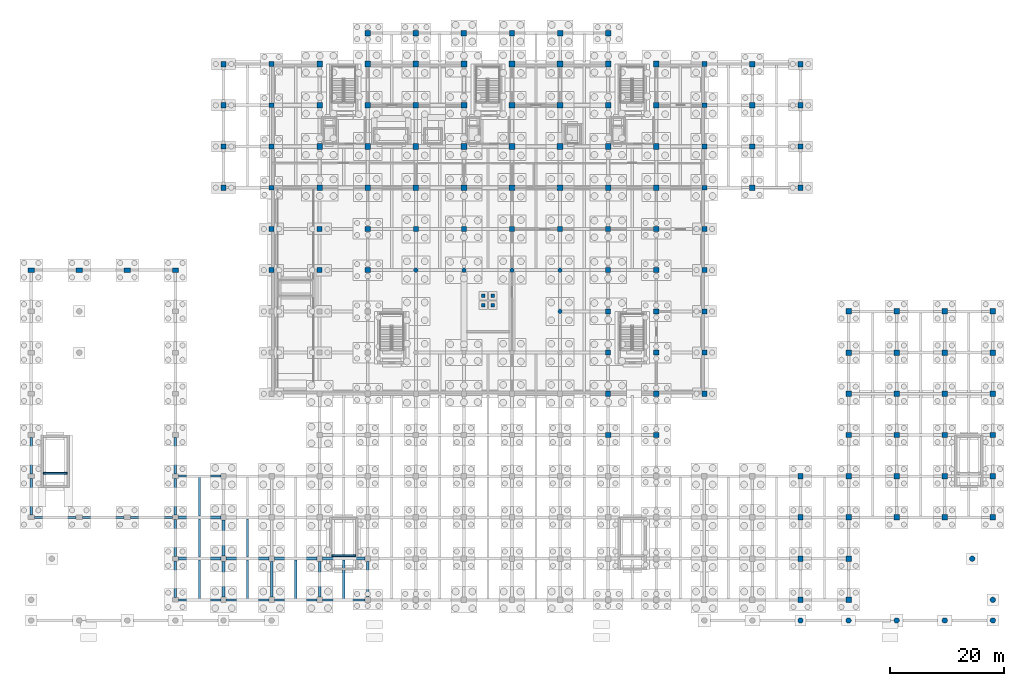
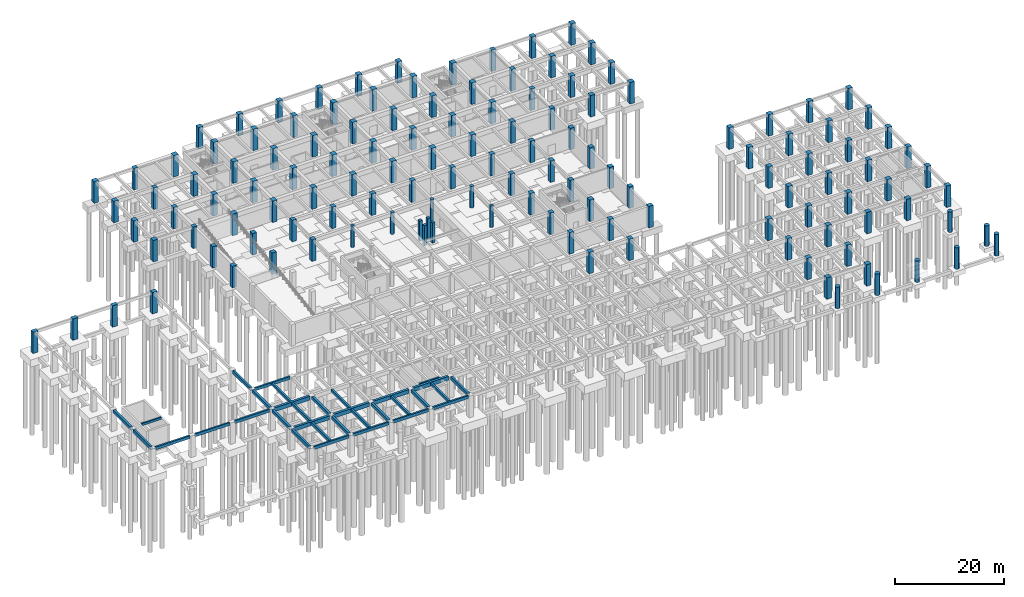
# One storey, part 12 of 26: 135 columns, 33 beams.
"""IFC4 building model written with IfcOpenShell, lengths in metres."""

from ifc_helpers import new_model, si_unit, direction, frame, origin, origin_2d, place, context, subcontext, project, spatial, rectangle, circle, extrude, material, material_profile, profile_set, type_object, element, save


model = new_model("IFC4")

# Units and contexts
model_context = context("Model", 3, precision=1e-05, world=origin(), true_north=direction((0.0, 1.0)))
body_context = subcontext(model_context, "Body", "Model", "MODEL_VIEW")
ifc_project = project(units=[si_unit("LENGTHUNIT", "METRE"), si_unit("AREAUNIT", "SQUARE_METRE"), si_unit("VOLUMEUNIT", "CUBIC_METRE"), si_unit("PLANEANGLEUNIT", "RADIAN"), si_unit("MASSUNIT", "GRAM", prefix="KILO")], contexts=[model_context])

# Site, building, storey
site_placement = place(None, origin())
site = spatial("IfcSite", under=ifc_project, at=site_placement, CompositionType="ELEMENT")
building_placement = place(site_placement, origin())
building = spatial("IfcBuilding", under=site, at=building_placement, Name="Kenerak Square Central Library", CompositionType="ELEMENT")
storey_placement = place(building_placement, frame((0.0, 0.0, -4.800048828125)))
storey = spatial("IfcBuildingStorey", under=building, at=storey_placement, Name="B1", CompositionType="ELEMENT", Elevation=-4.800048828125)

# Columns
ifc_material_1 = material(Name="Concrete C40/50", Category="concrete")
ifc_material_profile_1 = material_profile(ifc_material_1, circle(Radius=0.375, at=origin_2d()), Name="RC D750")
ifc_profile_set_1 = profile_set([ifc_material_profile_1], Name="Concrete C40/50")
column_type_1 = type_object("IfcColumnType", Name="Atrium Column C-13 RC D750 C40/50", PredefinedType="COLUMN", material=ifc_profile_set_1)
for number, where, z_axis, x_axis, name in (
    (1, (75.199951171875, 74.39990234375, 0.0), (0.0, 0.0, 1.0), (1.0, 0.0, 0.0), "Column C-13 B1 9/L"),
    (2, (83.60009765625, 74.39990234375, 0.0), (0.0, 0.0, 1.0), (1.0, 0.0, 0.0), "Column C-13 B1 10/L"),
    (3, (92.0, 74.39990234375, 0.0), (0.0, 0.0, 1.0), (1.0, 0.0, 0.0), "Column C-13 B1 11/L"),
    (4, (100.39990234375, 67.199951171875, 0.0), (0.0, 0.0, 1.0), (1.0, 0.0, 0.0), "Column C-13 B1 12/K"),
    (5, (100.39990234375, 74.39990234375, 0.0), (0.0, 0.0, 1.0), (1.0, 0.0, 0.0), "Column C-13 B1 12/L"),
):
    element("IfcColumn", number, at=place(storey_placement, frame(where, z_axis=z_axis, x_axis=x_axis)), inside=storey, type_object=column_type_1, Name=name, PredefinedType="COLUMN", context=body_context, shape_type="SweptSolid", body=[
        extrude(circle(Radius=0.375, at=origin_2d()), origin(), (0.0, 0.0, 1.0), 4.800048828125),
    ])
ifc_material_2 = material(Name="Concrete C45/55", Category="concrete")
ifc_material_profile_2 = material_profile(ifc_material_2, circle(Radius=0.47509765625, at=origin_2d()), Name="RC D950")
ifc_profile_set_2 = profile_set([ifc_material_profile_2], Name="Concrete C45/55")
column_type_2 = type_object("IfcColumnType", Name="Colonnade Foundation Pier C-17 RC D950 C45/55", PredefinedType="COLUMN", material=ifc_profile_set_2)
for number, where, z_axis, x_axis, name in (
    (6, (142.39990234375, 13.199951171875, 0.0), (0.0, 0.0, 1.0), (1.0, 0.0, 0.0), "Colonnade Foundation Pier C-17 09"),
    (7, (150.800048828125, 13.199951171875, 0.0), (0.0, 0.0, 1.0), (1.0, 0.0, 0.0), "Colonnade Foundation Pier C-17 10"),
    (8, (159.199951171875, 13.199951171875, 0.0), (0.0, 0.0, 1.0), (1.0, 0.0, 0.0), "Colonnade Foundation Pier C-17 11"),
    (9, (167.60009765625, 13.199951171875, 0.0), (0.0, 0.0, 1.0), (1.0, 0.0, 0.0), "Colonnade Foundation Pier C-17 12"),
    (10, (176.0, 13.199951171875, 0.0), (0.0, 0.0, 1.0), (1.0, 0.0, 0.0), "Colonnade Foundation Pier C-17 13"),
):
    element("IfcColumn", number, at=place(storey_placement, frame(where, z_axis=z_axis, x_axis=x_axis)), inside=storey, type_object=column_type_2, Name=name, PredefinedType="COLUMN", context=body_context, shape_type="SweptSolid", body=[
        extrude(circle(Radius=0.47509765625, at=origin_2d()), origin(), (0.0, 0.0, 1.0), 4.800048828125),
    ])
for number, where, z_axis, x_axis, name in (
    (11, (176.0, 16.800048828125, 0.0), (0.0, 0.0, 1.0), (1.0, 0.0, 0.0), "Colonnade Sub-Grade Pier C-17 CSUB03"),
    (12, (172.39990234375, 24.0, 0.0), (0.0, 0.0, 1.0), (1.0, 0.0, 0.0), "Colonnade Sub-Grade Pier C-17 CSUB04"),
):
    element("IfcColumn", number, at=place(storey_placement, frame(where, z_axis=z_axis, x_axis=x_axis)), inside=storey, type_object=column_type_2, Name=name, PredefinedType="COLUMN", context=body_context, shape_type="SweptSolid", body=[
        extrude(circle(Radius=0.47509765625, at=origin_2d()), origin(), (0.0, 0.0, 1.0), 4.550048828125),
    ])
ifc_material_profile_3 = material_profile(ifc_material_2, rectangle(XDim=1.0, YDim=1.0, at=origin_2d()), Name="RC 1000x1000")
ifc_profile_set_3 = profile_set([ifc_material_profile_3], Name="Concrete C45/55")
column_type_3 = type_object("IfcColumnType", Name="Column C-01 RC 1000x1000 C45/55", PredefinedType="COLUMN", material=ifc_profile_set_3)
for number, where, z_axis, x_axis, name in (
    (13, (58.39990234375, 88.800048828125, 0.0), (0.0, 0.0, 1.0), (1.0, 0.0, 0.0), "Column C-01 B1 7/N"),
    (14, (58.39990234375, 96.0, 0.0), (0.0, 0.0, 1.0), (1.0, 0.0, 0.0), "Column C-01 B1 7/P"),
    (15, (58.39990234375, 103.199951171875, 0.0), (0.0, 0.0, 1.0), (1.0, 0.0, 0.0), "Column C-01 B1 7/Q"),
    (16, (58.39990234375, 110.39990234375, 0.0), (0.0, 0.0, 1.0), (1.0, 0.0, 0.0), "Column C-01 B1 7/R"),
    (17, (66.800048828125, 88.800048828125, 0.0), (0.0, 0.0, 1.0), (1.0, 0.0, 0.0), "Column C-01 B1 8/N"),
    (18, (66.800048828125, 96.0, 0.0), (0.0, 0.0, 1.0), (1.0, 0.0, 0.0), "Column C-01 B1 8/P"),
    (19, (66.800048828125, 103.199951171875, 0.0), (0.0, 0.0, 1.0), (1.0, 0.0, 0.0), "Column C-01 B1 8/Q"),
    (20, (66.800048828125, 110.39990234375, 0.0), (0.0, 0.0, 1.0), (1.0, 0.0, 0.0), "Column C-01 B1 8/R"),
    (21, (75.199951171875, 88.800048828125, 0.0), (0.0, 0.0, 1.0), (1.0, 0.0, 0.0), "Column C-01 B1 9/N"),
    (22, (75.199951171875, 96.0, 0.0), (0.0, 0.0, 1.0), (1.0, 0.0, 0.0), "Column C-01 B1 9/P"),
    (23, (75.199951171875, 103.199951171875, 0.0), (0.0, 0.0, 1.0), (1.0, 0.0, 0.0), "Column C-01 B1 9/Q"),
    (24, (75.199951171875, 110.39990234375, 0.0), (0.0, 0.0, 1.0), (1.0, 0.0, 0.0), "Column C-01 B1 9/R"),
    (25, (83.60009765625, 88.800048828125, 0.0), (0.0, 0.0, 1.0), (1.0, 0.0, 0.0), "Column C-01 B1 10/N"),
    (26, (83.60009765625, 96.0, 0.0), (0.0, 0.0, 1.0), (1.0, 0.0, 0.0), "Column C-01 B1 10/P"),
    (27, (83.60009765625, 103.199951171875, 0.0), (0.0, 0.0, 1.0), (1.0, 0.0, 0.0), "Column C-01 B1 10/Q"),
    (28, (83.60009765625, 110.39990234375, 0.0), (0.0, 0.0, 1.0), (1.0, 0.0, 0.0), "Column C-01 B1 10/R"),
    (29, (92.0, 88.800048828125, 0.0), (0.0, 0.0, 1.0), (1.0, 0.0, 0.0), "Column C-01 B1 11/N"),
    (30, (92.0, 96.0, 0.0), (0.0, 0.0, 1.0), (1.0, 0.0, 0.0), "Column C-01 B1 11/P"),
    (31, (92.0, 103.199951171875, 0.0), (0.0, 0.0, 1.0), (1.0, 0.0, 0.0), "Column C-01 B1 11/Q"),
    (32, (92.0, 110.39990234375, 0.0), (0.0, 0.0, 1.0), (1.0, 0.0, 0.0), "Column C-01 B1 11/R"),
    (33, (100.39990234375, 88.800048828125, 0.0), (0.0, 0.0, 1.0), (1.0, 0.0, 0.0), "Column C-01 B1 12/N"),
    (34, (100.39990234375, 96.0, 0.0), (0.0, 0.0, 1.0), (1.0, 0.0, 0.0), "Column C-01 B1 12/P"),
    (35, (100.39990234375, 103.199951171875, 0.0), (0.0, 0.0, 1.0), (1.0, 0.0, 0.0), "Column C-01 B1 12/Q"),
    (36, (100.39990234375, 110.39990234375, 0.0), (0.0, 0.0, 1.0), (1.0, 0.0, 0.0), "Column C-01 B1 12/R"),
    (37, (108.800048828125, 88.800048828125, 0.0), (0.0, 0.0, 1.0), (1.0, 0.0, 0.0), "Column C-01 B1 13/N"),
    (38, (108.800048828125, 96.0, 0.0), (0.0, 0.0, 1.0), (1.0, 0.0, 0.0), "Column C-01 B1 13/P"),
    (39, (108.800048828125, 103.199951171875, 0.0), (0.0, 0.0, 1.0), (1.0, 0.0, 0.0), "Column C-01 B1 13/Q"),
    (40, (108.800048828125, 110.39990234375, 0.0), (0.0, 0.0, 1.0), (1.0, 0.0, 0.0), "Column C-01 B1 13/R"),
    (41, (117.199951171875, 88.800048828125, 0.0), (0.0, 0.0, 1.0), (1.0, 0.0, 0.0), "Column C-01 B1 14/N"),
    (42, (117.199951171875, 96.0, 0.0), (0.0, 0.0, 1.0), (1.0, 0.0, 0.0), "Column C-01 B1 14/P"),
    (43, (117.199951171875, 103.199951171875, 0.0), (0.0, 0.0, 1.0), (1.0, 0.0, 0.0), "Column C-01 B1 14/Q"),
    (44, (117.199951171875, 110.39990234375, 0.0), (0.0, 0.0, 1.0), (1.0, 0.0, 0.0), "Column C-01 B1 14/R"),
):
    element("IfcColumn", number, at=place(storey_placement, frame(where, z_axis=z_axis, x_axis=x_axis)), inside=storey, type_object=column_type_3, Name=name, PredefinedType="COLUMN", context=body_context, shape_type="SweptSolid", body=[
        extrude(rectangle(XDim=1.0, YDim=1.0, at=origin_2d()), origin(), (0.0, 0.0, 1.0), 4.800048828125),
    ])
ifc_material_profile_4 = material_profile(ifc_material_2, rectangle(XDim=0.89990234375, YDim=0.89990234375, at=origin_2d()), Name="RC 900x900")
ifc_profile_set_4 = profile_set([ifc_material_profile_4], Name="Concrete C45/55")
column_type_4 = type_object("IfcColumnType", Name="Column C-02 RC 900x900 C45/55", PredefinedType="COLUMN", material=ifc_profile_set_4)
for number, where, z_axis, x_axis, name in (
    (45, (50.0, 74.39990234375, 0.0), (0.0, 0.0, 1.0), (1.0, 0.0, 0.0), "Column C-02 B1 6/L"),
    (46, (50.0, 81.60009765625, 0.0), (0.0, 0.0, 1.0), (1.0, 0.0, 0.0), "Column C-02 B1 6/M"),
    (47, (58.39990234375, 74.39990234375, 0.0), (0.0, 0.0, 1.0), (1.0, 0.0, 0.0), "Column C-02 B1 7/L"),
    (48, (58.39990234375, 81.60009765625, 0.0), (0.0, 0.0, 1.0), (1.0, 0.0, 0.0), "Column C-02 B1 7/M"),
    (49, (66.800048828125, 74.39990234375, 0.0), (0.0, 0.0, 1.0), (1.0, 0.0, 0.0), "Column C-02 B1 8/L"),
    (50, (66.800048828125, 81.60009765625, 0.0), (0.0, 0.0, 1.0), (1.0, 0.0, 0.0), "Column C-02 B1 8/M"),
    (51, (75.199951171875, 81.60009765625, 0.0), (0.0, 0.0, 1.0), (1.0, 0.0, 0.0), "Column C-02 B1 9/M"),
    (52, (83.60009765625, 81.60009765625, 0.0), (0.0, 0.0, 1.0), (1.0, 0.0, 0.0), "Column C-02 B1 10/M"),
    (53, (92.0, 81.60009765625, 0.0), (0.0, 0.0, 1.0), (1.0, 0.0, 0.0), "Column C-02 B1 11/M"),
    (54, (100.39990234375, 81.60009765625, 0.0), (0.0, 0.0, 1.0), (1.0, 0.0, 0.0), "Column C-02 B1 12/M"),
    (55, (108.800048828125, 52.800048828125, 0.0), (0.0, 0.0, 1.0), (1.0, 0.0, 0.0), "Column C-02 B1 13/H"),
    (56, (108.800048828125, 60.0, 0.0), (0.0, 0.0, 1.0), (1.0, 0.0, 0.0), "Column C-02 B1 13/J"),
    (57, (108.800048828125, 67.199951171875, 0.0), (0.0, 0.0, 1.0), (1.0, 0.0, 0.0), "Column C-02 B1 13/K"),
    (58, (108.800048828125, 74.39990234375, 0.0), (0.0, 0.0, 1.0), (1.0, 0.0, 0.0), "Column C-02 B1 13/L"),
    (59, (108.800048828125, 81.60009765625, 0.0), (0.0, 0.0, 1.0), (1.0, 0.0, 0.0), "Column C-02 B1 13/M"),
    (60, (117.199951171875, 52.800048828125, 0.0), (0.0, 0.0, 1.0), (1.0, 0.0, 0.0), "Column C-02 B1 14/H"),
    (61, (117.199951171875, 60.0, 0.0), (0.0, 0.0, 1.0), (1.0, 0.0, 0.0), "Column C-02 B1 14/J"),
    (62, (117.199951171875, 67.199951171875, 0.0), (0.0, 0.0, 1.0), (1.0, 0.0, 0.0), "Column C-02 B1 14/K"),
    (63, (117.199951171875, 74.39990234375, 0.0), (0.0, 0.0, 1.0), (1.0, 0.0, 0.0), "Column C-02 B1 14/L"),
    (64, (117.199951171875, 81.60009765625, 0.0), (0.0, 0.0, 1.0), (1.0, 0.0, 0.0), "Column C-02 B1 14/M"),
    (65, (125.60009765625, 52.800048828125, 0.0), (0.0, 0.0, 1.0), (1.0, 0.0, 0.0), "Column C-02 B1 15/H"),
    (66, (125.60009765625, 60.0, 0.0), (0.0, 0.0, 1.0), (1.0, 0.0, 0.0), "Column C-02 B1 15/J"),
    (67, (125.60009765625, 67.199951171875, 0.0), (0.0, 0.0, 1.0), (1.0, 0.0, 0.0), "Column C-02 B1 15/K"),
    (68, (125.60009765625, 74.39990234375, 0.0), (0.0, 0.0, 1.0), (1.0, 0.0, 0.0), "Column C-02 B1 15/L"),
    (69, (125.60009765625, 81.60009765625, 0.0), (0.0, 0.0, 1.0), (1.0, 0.0, 0.0), "Column C-02 B1 15/M"),
):
    element("IfcColumn", number, at=place(storey_placement, frame(where, z_axis=z_axis, x_axis=x_axis)), inside=storey, type_object=column_type_4, Name=name, PredefinedType="COLUMN", context=body_context, shape_type="SweptSolid", body=[
        extrude(rectangle(XDim=0.89990234375, YDim=0.89990234375, at=origin_2d()), origin(), (0.0, 0.0, 1.0), 4.800048828125),
    ])
ifc_material_profile_5 = material_profile(ifc_material_2, rectangle(XDim=0.85009765625, YDim=0.85009765625, at=origin_2d()), Name="RC 850x850")
ifc_profile_set_5 = profile_set([ifc_material_profile_5], Name="Concrete C45/55")
column_type_5 = type_object("IfcColumnType", Name="Column C-03 RC 850x850 C45/55", PredefinedType="COLUMN", material=ifc_profile_set_5)
for number, where, z_axis, x_axis, name in (
    (70, (50.0, 88.800048828125, 0.0), (0.0, 0.0, 1.0), (1.0, 0.0, 0.0), "Column C-03 B1 6/N"),
    (71, (50.0, 96.0, 0.0), (0.0, 0.0, 1.0), (1.0, 0.0, 0.0), "Column C-03 B1 6/P"),
    (72, (50.0, 103.199951171875, 0.0), (0.0, 0.0, 1.0), (1.0, 0.0, 0.0), "Column C-03 B1 6/Q"),
    (73, (50.0, 110.39990234375, 0.0), (0.0, 0.0, 1.0), (1.0, 0.0, 0.0), "Column C-03 B1 6/R"),
    (74, (125.60009765625, 88.800048828125, 0.0), (0.0, 0.0, 1.0), (1.0, 0.0, 0.0), "Column C-03 B1 15/N"),
    (75, (125.60009765625, 96.0, 0.0), (0.0, 0.0, 1.0), (1.0, 0.0, 0.0), "Column C-03 B1 15/P"),
    (76, (125.60009765625, 103.199951171875, 0.0), (0.0, 0.0, 1.0), (1.0, 0.0, 0.0), "Column C-03 B1 15/Q"),
    (77, (125.60009765625, 110.39990234375, 0.0), (0.0, 0.0, 1.0), (1.0, 0.0, 0.0), "Column C-03 B1 15/R"),
):
    element("IfcColumn", number, at=place(storey_placement, frame(where, z_axis=z_axis, x_axis=x_axis)), inside=storey, type_object=column_type_5, Name=name, PredefinedType="COLUMN", context=body_context, shape_type="SweptSolid", body=[
        extrude(rectangle(XDim=0.85009765625, YDim=0.85009765625, at=origin_2d()), origin(), (0.0, 0.0, 1.0), 4.800048828125),
    ])
ifc_material_profile_6 = material_profile(ifc_material_1, rectangle(XDim=0.60009765625, YDim=0.60009765625, at=origin_2d()), Name="RC 600x600")
ifc_profile_set_6 = profile_set([ifc_material_profile_6], Name="Concrete C40/50")
column_type_6 = type_object("IfcColumnType", Name="Column C-08 RC 600x600 C40/50", PredefinedType="COLUMN", material=ifc_profile_set_6)
for number, where, z_axis, x_axis, name in (
    (78, (86.949951171875, 68.25, 0.0), (0.0, 0.0, 1.0), (1.0, 0.0, 0.0), "Feature Stair B1 Support Column 1"),
    (79, (88.64990234375, 68.25, 0.0), (0.0, 0.0, 1.0), (1.0, 0.0, 0.0), "Feature Stair B1 Support Column 2"),
    (80, (86.949951171875, 69.949951171875, 0.0), (0.0, 0.0, 1.0), (1.0, 0.0, 0.0), "Feature Stair B1 Support Column 3"),
    (81, (88.64990234375, 69.949951171875, 0.0), (0.0, 0.0, 1.0), (1.0, 0.0, 0.0), "Feature Stair B1 Support Column 4"),
):
    element("IfcColumn", number, at=place(storey_placement, frame(where, z_axis=z_axis, x_axis=x_axis)), inside=storey, type_object=column_type_6, Name=name, PredefinedType="COLUMN", context=body_context, shape_type="SweptSolid", body=[
        extrude(rectangle(XDim=0.60009765625, YDim=0.60009765625, at=origin_2d()), origin(), (0.0, 0.0, 1.0), 4.525146484375),
    ])
ifc_material_profile_7 = material_profile(ifc_material_2, rectangle(XDim=0.949951171875, YDim=0.949951171875, at=origin_2d()), Name="RC 950x950")
ifc_profile_set_7 = profile_set([ifc_material_profile_7], Name="Concrete C45/55")
column_type_7 = type_object("IfcColumnType", Name="Sub-Grade Foundation Pier C-15 RC 950x950 C45/55", PredefinedType="COLUMN", material=ifc_profile_set_7)
for number, where, z_axis, x_axis, name in (
    (82, (41.60009765625, 88.800048828125, 0.0), (0.0, 0.0, 1.0), (1.0, 0.0, 0.0), "Column C-15 B1 5/N"),
    (83, (41.60009765625, 96.0, 0.0), (0.0, 0.0, 1.0), (1.0, 0.0, 0.0), "Column C-15 B1 5/P"),
    (84, (41.60009765625, 103.199951171875, 0.0), (0.0, 0.0, 1.0), (1.0, 0.0, 0.0), "Column C-15 B1 5/Q"),
    (85, (41.60009765625, 110.39990234375, 0.0), (0.0, 0.0, 1.0), (1.0, 0.0, 0.0), "Column C-15 B1 5/R"),
    (86, (66.800048828125, 115.800048828125, 0.0), (0.0, 0.0, 1.0), (1.0, 0.0, 0.0), "Column C-15 B1 8/S"),
    (87, (75.199951171875, 115.800048828125, 0.0), (0.0, 0.0, 1.0), (1.0, 0.0, 0.0), "Column C-15 B1 9/S"),
    (88, (83.60009765625, 115.800048828125, 0.0), (0.0, 0.0, 1.0), (1.0, 0.0, 0.0), "Column C-15 B1 10/S"),
    (89, (92.0, 115.800048828125, 0.0), (0.0, 0.0, 1.0), (1.0, 0.0, 0.0), "Column C-15 B1 11/S"),
    (90, (100.39990234375, 115.800048828125, 0.0), (0.0, 0.0, 1.0), (1.0, 0.0, 0.0), "Column C-15 B1 12/S"),
    (91, (108.800048828125, 45.60009765625, 0.0), (0.0, 0.0, 1.0), (1.0, 0.0, 0.0), "Column C-15 B1 13/G"),
    (92, (108.800048828125, 115.800048828125, 0.0), (0.0, 0.0, 1.0), (1.0, 0.0, 0.0), "Column C-15 B1 13/S"),
    (93, (117.199951171875, 45.60009765625, 0.0), (0.0, 0.0, 1.0), (1.0, 0.0, 0.0), "Column C-15 B1 14/G"),
    (94, (134.0, 88.800048828125, 0.0), (0.0, 0.0, 1.0), (1.0, 0.0, 0.0), "Column C-15 B1 16/N"),
    (95, (134.0, 96.0, 0.0), (0.0, 0.0, 1.0), (1.0, 0.0, 0.0), "Column C-15 B1 16/P"),
    (96, (134.0, 103.199951171875, 0.0), (0.0, 0.0, 1.0), (1.0, 0.0, 0.0), "Column C-15 B1 16/Q"),
    (97, (134.0, 110.39990234375, 0.0), (0.0, 0.0, 1.0), (1.0, 0.0, 0.0), "Column C-15 B1 16/R"),
    (98, (142.39990234375, 16.800048828125, 0.0), (0.0, 0.0, 1.0), (1.0, 0.0, 0.0), "Column C-15 B1 17/C"),
    (99, (142.39990234375, 24.0, 0.0), (0.0, 0.0, 1.0), (1.0, 0.0, 0.0), "Column C-15 B1 17/D"),
    (100, (142.39990234375, 31.199951171875, 0.0), (0.0, 0.0, 1.0), (1.0, 0.0, 0.0), "Column C-15 B1 17/E"),
    (101, (142.39990234375, 38.39990234375, 0.0), (0.0, 0.0, 1.0), (1.0, 0.0, 0.0), "Column C-15 B1 17/F"),
    (102, (142.39990234375, 88.800048828125, 0.0), (0.0, 0.0, 1.0), (1.0, 0.0, 0.0), "Column C-15 B1 17/N"),
    (103, (142.39990234375, 96.0, 0.0), (0.0, 0.0, 1.0), (1.0, 0.0, 0.0), "Column C-15 B1 17/P"),
    (104, (142.39990234375, 103.199951171875, 0.0), (0.0, 0.0, 1.0), (1.0, 0.0, 0.0), "Column C-15 B1 17/Q"),
    (105, (142.39990234375, 110.39990234375, 0.0), (0.0, 0.0, 1.0), (1.0, 0.0, 0.0), "Column C-15 B1 17/R"),
    (106, (150.800048828125, 16.800048828125, 0.0), (0.0, 0.0, 1.0), (1.0, 0.0, 0.0), "Column C-15 B1 18/C"),
    (107, (150.800048828125, 24.0, 0.0), (0.0, 0.0, 1.0), (1.0, 0.0, 0.0), "Column C-15 B1 18/D"),
    (108, (150.800048828125, 31.199951171875, 0.0), (0.0, 0.0, 1.0), (1.0, 0.0, 0.0), "Column C-15 B1 18/E"),
    (109, (150.800048828125, 38.39990234375, 0.0), (0.0, 0.0, 1.0), (1.0, 0.0, 0.0), "Column C-15 B1 18/F"),
    (110, (150.800048828125, 45.60009765625, 0.0), (0.0, 0.0, 1.0), (1.0, 0.0, 0.0), "Column C-15 B1 18/G"),
    (111, (150.800048828125, 52.800048828125, 0.0), (0.0, 0.0, 1.0), (1.0, 0.0, 0.0), "Column C-15 B1 18/H"),
    (112, (150.800048828125, 60.0, 0.0), (0.0, 0.0, 1.0), (1.0, 0.0, 0.0), "Column C-15 B1 18/J"),
    (113, (150.800048828125, 67.199951171875, 0.0), (0.0, 0.0, 1.0), (1.0, 0.0, 0.0), "Column C-15 B1 18/K"),
    (114, (159.199951171875, 31.199951171875, 0.0), (0.0, 0.0, 1.0), (1.0, 0.0, 0.0), "Column C-15 B1 19/E"),
    (115, (159.199951171875, 38.39990234375, 0.0), (0.0, 0.0, 1.0), (1.0, 0.0, 0.0), "Column C-15 B1 19/F"),
    (116, (159.199951171875, 45.60009765625, 0.0), (0.0, 0.0, 1.0), (1.0, 0.0, 0.0), "Column C-15 B1 19/G"),
    (117, (159.199951171875, 52.800048828125, 0.0), (0.0, 0.0, 1.0), (1.0, 0.0, 0.0), "Column C-15 B1 19/H"),
    (118, (159.199951171875, 60.0, 0.0), (0.0, 0.0, 1.0), (1.0, 0.0, 0.0), "Column C-15 B1 19/J"),
    (119, (159.199951171875, 67.199951171875, 0.0), (0.0, 0.0, 1.0), (1.0, 0.0, 0.0), "Column C-15 B1 19/K"),
    (120, (167.60009765625, 31.199951171875, 0.0), (0.0, 0.0, 1.0), (1.0, 0.0, 0.0), "Column C-15 B1 20/E"),
    (121, (167.60009765625, 38.39990234375, 0.0), (0.0, 0.0, 1.0), (1.0, 0.0, 0.0), "Column C-15 B1 20/F"),
    (122, (167.60009765625, 45.60009765625, 0.0), (0.0, 0.0, 1.0), (1.0, 0.0, 0.0), "Column C-15 B1 20/G"),
    (123, (167.60009765625, 52.800048828125, 0.0), (0.0, 0.0, 1.0), (1.0, 0.0, 0.0), "Column C-15 B1 20/H"),
    (124, (167.60009765625, 60.0, 0.0), (0.0, 0.0, 1.0), (1.0, 0.0, 0.0), "Column C-15 B1 20/J"),
    (125, (167.60009765625, 67.199951171875, 0.0), (0.0, 0.0, 1.0), (1.0, 0.0, 0.0), "Column C-15 B1 20/K"),
    (126, (176.0, 31.199951171875, 0.0), (0.0, 0.0, 1.0), (1.0, 0.0, 0.0), "Column C-15 B1 21/E"),
    (127, (176.0, 38.39990234375, 0.0), (0.0, 0.0, 1.0), (1.0, 0.0, 0.0), "Column C-15 B1 21/F"),
    (128, (176.0, 45.60009765625, 0.0), (0.0, 0.0, 1.0), (1.0, 0.0, 0.0), "Column C-15 B1 21/G"),
    (129, (176.0, 52.800048828125, 0.0), (0.0, 0.0, 1.0), (1.0, 0.0, 0.0), "Column C-15 B1 21/H"),
    (130, (176.0, 60.0, 0.0), (0.0, 0.0, 1.0), (1.0, 0.0, 0.0), "Column C-15 B1 21/J"),
    (131, (176.0, 67.199951171875, 0.0), (0.0, 0.0, 1.0), (1.0, 0.0, 0.0), "Column C-15 B1 21/K"),
):
    element("IfcColumn", number, at=place(storey_placement, frame(where, z_axis=z_axis, x_axis=x_axis)), inside=storey, type_object=column_type_7, Name=name, PredefinedType="COLUMN", context=body_context, shape_type="SweptSolid", body=[
        extrude(rectangle(XDim=0.949951171875, YDim=0.949951171875, at=origin_2d()), origin(), (0.0, 0.0, 1.0), 4.800048828125),
    ])
ifc_material_profile_8 = material_profile(ifc_material_2, rectangle(XDim=1.10009765625, YDim=0.800048828125, at=origin_2d()), Name="RC 1100x800")
ifc_profile_set_8 = profile_set([ifc_material_profile_8], Name="Concrete C45/55")
column_type_8 = type_object("IfcColumnType", Name="Sub-Grade Wing Pier C-16 RC 1100x800 C45/55", PredefinedType="COLUMN", material=ifc_profile_set_8)
for number, where, z_axis, x_axis, name in (
    (132, (8.0, 74.39990234375, 0.0), (0.0, 0.0, 1.0), (1.0, 0.0, 0.0), "Column C-16 B1 1/L"),
    (133, (16.39990234375, 74.39990234375, 0.0), (0.0, 0.0, 1.0), (1.0, 0.0, 0.0), "Column C-16 B1 2/L"),
    (134, (24.800048828125, 74.39990234375, 0.0), (0.0, 0.0, 1.0), (1.0, 0.0, 0.0), "Column C-16 B1 3/L"),
    (135, (33.199951171875, 74.39990234375, 0.0), (0.0, 0.0, 1.0), (1.0, 0.0, 0.0), "Column C-16 B1 4/L"),
):
    element("IfcColumn", number, at=place(storey_placement, frame(where, z_axis=z_axis, x_axis=x_axis)), inside=storey, type_object=column_type_8, Name=name, PredefinedType="COLUMN", context=body_context, shape_type="SweptSolid", body=[
        extrude(rectangle(XDim=1.10009765625, YDim=0.800048828125, at=origin_2d()), origin(), (0.0, 0.0, 1.0), 4.800048828125),
    ])

# Beams
ifc_material_profile_9 = material_profile(ifc_material_1, rectangle(XDim=0.300048828125, YDim=0.5, at=origin_2d()), Name="RC 300x500")
ifc_profile_set_9 = profile_set([ifc_material_profile_9], Name="Concrete C40/50")
beam_type_1 = type_object("IfcBeamType", Name="Landing Support Beam B-08 RC 300x500 C40/50", PredefinedType="BEAM", material=ifc_profile_set_9)
for number, where, z_axis, x_axis, name in (
    (136, (60.52001953125, 24.510009765625, 4.550048828125), (1.0, 0.0, 0.0), (0.0, 1.0, 0.0), "Stair Threshold Beam B-08 ST-04 L00"),
    (137, (10.1201171875, 38.909912109375, 4.550048828125), (1.0, 0.0, 0.0), (0.0, 1.0, 0.0), "Stair Threshold Beam B-08 ST-06 L00"),
):
    element("IfcBeam", number, at=place(storey_placement, frame(where, z_axis=z_axis, x_axis=x_axis)), inside=storey, type_object=beam_type_1, Name=name, PredefinedType="BEAM", context=body_context, shape_type="SweptSolid", body=[
        extrude(rectangle(XDim=0.300048828125, YDim=0.5, at=origin_2d()), origin(), (0.0, 0.0, 1.0), 4.159912109375),
    ])
ifc_material_profile_10 = material_profile(ifc_material_1, rectangle(XDim=0.35009765625, YDim=0.64990234375, at=origin_2d()), Name="RC 350x650")
ifc_profile_set_10 = profile_set([ifc_material_profile_10], Name="Concrete C40/50")
beam_type_2 = type_object("IfcBeamType", Name="Perimeter Plinth Spandrel SP-03 RC 350x650 C40/50", PredefinedType="SPANDREL", material=ifc_profile_set_10)
beam_1_placement = place(storey_placement, frame((33.75, 16.800048828125, 4.47509765625), z_axis=(1.0, 0.0, 0.0), x_axis=(0.0, 1.0, 0.0)))
element("IfcBeam", 138, at=beam_1_placement, inside=storey, type_object=beam_type_2, Name="Beam SP-03 B1 0001", PredefinedType="SPANDREL", context=body_context, shape_type="SweptSolid", body=[
    extrude(rectangle(XDim=0.35009765625, YDim=0.64990234375, at=origin_2d()), origin(), (0.0, 0.0, 1.0), 7.375),
])
for number, where, z_axis, x_axis, name in (
    (139, (42.074951171875, 16.800048828125, 4.47509765625), (1.0, 0.0, 0.0), (0.0, 1.0, 0.0), "Beam SP-03 B1 0002"),
    (140, (50.47509765625, 16.800048828125, 4.47509765625), (1.0, 0.0, 0.0), (0.0, 1.0, 0.0), "Beam SP-03 B1 0003"),
    (141, (58.875, 16.800048828125, 4.47509765625), (1.0, 0.0, 0.0), (0.0, 1.0, 0.0), "Beam SP-03 B1 0004"),
):
    element("IfcBeam", number, at=place(storey_placement, frame(where, z_axis=z_axis, x_axis=x_axis)), inside=storey, type_object=beam_type_2, Name=name, PredefinedType="SPANDREL", context=body_context, shape_type="SweptSolid", body=[
        extrude(rectangle(XDim=0.35009765625, YDim=0.64990234375, at=origin_2d()), origin(), (0.0, 0.0, 1.0), 7.449951171875),
    ])
for number, where, z_axis, x_axis, name in (
    (142, (8.550048828125, 31.199951171875, 4.47509765625), (1.0, 0.0, 0.0), (0.0, 1.0, 0.0), "Beam SP-03 B1 0029"),
    (143, (16.949951171875, 31.199951171875, 4.47509765625), (1.0, 0.0, 0.0), (0.0, 1.0, 0.0), "Beam SP-03 B1 0030"),
):
    element("IfcBeam", number, at=place(storey_placement, frame(where, z_axis=z_axis, x_axis=x_axis)), inside=storey, type_object=beam_type_2, Name=name, PredefinedType="SPANDREL", context=body_context, shape_type="SweptSolid", body=[
        extrude(rectangle(XDim=0.35009765625, YDim=0.64990234375, at=origin_2d()), origin(), (0.0, 0.0, 1.0), 7.300048828125),
    ])
beam_2_placement = place(storey_placement, frame((25.35009765625, 31.199951171875, 4.47509765625), z_axis=(1.0, 0.0, 0.0), x_axis=(0.0, 1.0, 0.0)))
element("IfcBeam", 144, at=beam_2_placement, inside=storey, type_object=beam_type_2, Name="Beam SP-03 B1 0031", PredefinedType="SPANDREL", context=body_context, shape_type="SweptSolid", body=[
    extrude(rectangle(XDim=0.35009765625, YDim=0.64990234375, at=origin_2d()), origin(), (0.0, 0.0, 1.0), 7.2998046875),
])
beam_3_placement = place(storey_placement, frame((33.75, 38.39990234375, 4.47509765625), z_axis=(1.0, 0.0, 0.0), x_axis=(0.0, 1.0, 0.0)))
element("IfcBeam", 145, at=beam_3_placement, inside=storey, type_object=beam_type_2, Name="Beam SP-03 B1 0049", PredefinedType="SPANDREL", context=body_context, shape_type="SweptSolid", body=[
    extrude(rectangle(XDim=0.35009765625, YDim=0.64990234375, at=origin_2d()), origin(), (0.0, 0.0, 1.0), 7.375),
])
ifc_material_profile_11 = material_profile(ifc_material_1, rectangle(XDim=0.39990234375, YDim=0.60009765625, at=origin_2d()), Name="RC 400x600")
ifc_profile_set_11 = profile_set([ifc_material_profile_11], Name="Concrete C40/50")
beam_type_3 = type_object("IfcBeamType", Name="Secondary Floor Joist J-01 RC 400x600 C40/50", PredefinedType="JOIST", material=ifc_profile_set_11)
beam_4_placement = place(storey_placement, frame((37.39990234375, 16.97509765625, 4.5), z_axis=(0.0, 1.0, 0.0), x_axis=(-1.0, 0.0, 0.0)))
element("IfcBeam", 146, at=beam_4_placement, inside=storey, type_object=beam_type_3, Name="Joist J-01 B1 0326", PredefinedType="JOIST", context=body_context, shape_type="SweptSolid", body=[
    extrude(rectangle(XDim=0.39990234375, YDim=0.60009765625, at=origin_2d()), origin(), (0.0, 0.0, 1.0), 6.77490234375),
])
beam_5_placement = place(storey_placement, frame((37.39990234375, 24.25, 4.5), z_axis=(0.0, 1.0, 0.0), x_axis=(-1.0, 0.0, 0.0)))
element("IfcBeam", 147, at=beam_5_placement, inside=storey, type_object=beam_type_3, Name="Joist J-01 B1 0327", PredefinedType="JOIST", context=body_context, shape_type="SweptSolid", body=[
    extrude(rectangle(XDim=0.39990234375, YDim=0.60009765625, at=origin_2d()), origin(), (0.0, 0.0, 1.0), 6.699951171875),
])
beam_6_placement = place(storey_placement, frame((37.39990234375, 31.449951171875, 4.5), z_axis=(0.0, 1.0, 0.0), x_axis=(-1.0, 0.0, 0.0)))
element("IfcBeam", 148, at=beam_6_placement, inside=storey, type_object=beam_type_3, Name="Joist J-01 B1 0328", PredefinedType="JOIST", context=body_context, shape_type="SweptSolid", body=[
    extrude(rectangle(XDim=0.39990234375, YDim=0.60009765625, at=origin_2d()), origin(), (0.0, 0.0, 1.0), 6.775146484375),
])
beam_7_placement = place(storey_placement, frame((45.800048828125, 16.97509765625, 4.5), z_axis=(0.0, 1.0, 0.0), x_axis=(-1.0, 0.0, 0.0)))
element("IfcBeam", 149, at=beam_7_placement, inside=storey, type_object=beam_type_3, Name="Joist J-01 B1 0329", PredefinedType="JOIST", context=body_context, shape_type="SweptSolid", body=[
    extrude(rectangle(XDim=0.39990234375, YDim=0.60009765625, at=origin_2d()), origin(), (0.0, 0.0, 1.0), 6.77490234375),
])
beam_8_placement = place(storey_placement, frame((45.800048828125, 24.25, 4.5), z_axis=(0.0, 1.0, 0.0), x_axis=(-1.0, 0.0, 0.0)))
element("IfcBeam", 150, at=beam_8_placement, inside=storey, type_object=beam_type_3, Name="Joist J-01 B1 0330", PredefinedType="JOIST", context=body_context, shape_type="SweptSolid", body=[
    extrude(rectangle(XDim=0.39990234375, YDim=0.60009765625, at=origin_2d()), origin(), (0.0, 0.0, 1.0), 6.699951171875),
])
for number, where, z_axis, x_axis, name in (
    (151, (54.199951171875, 16.97509765625, 4.5), (0.0, 1.0, 0.0), (-1.0, 0.0, 0.0), "Joist J-01 B1 0335"),
    (152, (62.60009765625, 16.97509765625, 4.5), (0.0, 1.0, 0.0), (-1.0, 0.0, 0.0), "Joist J-01 B1 0341"),
):
    element("IfcBeam", number, at=place(storey_placement, frame(where, z_axis=z_axis, x_axis=x_axis)), inside=storey, type_object=beam_type_3, Name=name, PredefinedType="JOIST", context=body_context, shape_type="SweptSolid", body=[
        extrude(rectangle(XDim=0.39990234375, YDim=0.60009765625, at=origin_2d()), origin(), (0.0, 0.0, 1.0), 6.77490234375),
    ])
ifc_material_profile_12 = material_profile(ifc_material_1, rectangle(XDim=0.5, YDim=0.85009765625, at=origin_2d()), Name="RC 500x850")
ifc_profile_set_12 = profile_set([ifc_material_profile_12], Name="Concrete C40/50")
beam_type_4 = type_object("IfcBeamType", Name="Sub-Grade Plinth Girder B-09 RC 500x850 C40/50", PredefinedType="BEAM", material=ifc_profile_set_12)
beam_9_placement = place(storey_placement, frame((33.75, 24.0, 4.375), z_axis=(1.0, 0.0, 0.0), x_axis=(0.0, 1.0, 0.0)))
element("IfcBeam", 153, at=beam_9_placement, inside=storey, type_object=beam_type_4, Name="Beam B-09 B1 0015", PredefinedType="BEAM", context=body_context, shape_type="SweptSolid", body=[
    extrude(rectangle(XDim=0.5, YDim=0.85009765625, at=origin_2d()), origin(), (0.0, 0.0, 1.0), 7.375),
])
for number, where, z_axis, x_axis, name in (
    (154, (42.074951171875, 24.0, 4.375), (1.0, 0.0, 0.0), (0.0, 1.0, 0.0), "Beam B-09 B1 0016"),
    (155, (50.47509765625, 24.0, 4.375), (1.0, 0.0, 0.0), (0.0, 1.0, 0.0), "Beam B-09 B1 0017"),
    (156, (58.875, 24.0, 4.375), (1.0, 0.0, 0.0), (0.0, 1.0, 0.0), "Beam B-09 B1 0018"),
):
    element("IfcBeam", number, at=place(storey_placement, frame(where, z_axis=z_axis, x_axis=x_axis)), inside=storey, type_object=beam_type_4, Name=name, PredefinedType="BEAM", context=body_context, shape_type="SweptSolid", body=[
        extrude(rectangle(XDim=0.5, YDim=0.85009765625, at=origin_2d()), origin(), (0.0, 0.0, 1.0), 7.449951171875),
    ])
beam_10_placement = place(storey_placement, frame((33.75, 31.199951171875, 4.375), z_axis=(1.0, 0.0, 0.0), x_axis=(0.0, 1.0, 0.0)))
element("IfcBeam", 157, at=beam_10_placement, inside=storey, type_object=beam_type_4, Name="Beam B-09 B1 0032", PredefinedType="BEAM", context=body_context, shape_type="SweptSolid", body=[
    extrude(rectangle(XDim=0.5, YDim=0.85009765625, at=origin_2d()), origin(), (0.0, 0.0, 1.0), 7.375),
])
ifc_material_profile_13 = material_profile(ifc_material_1, rectangle(XDim=0.449951171875, YDim=0.699951171875, at=origin_2d()), Name="RC 450x700")
ifc_profile_set_13 = profile_set([ifc_material_profile_13], Name="Concrete C40/50")
beam_type_5 = type_object("IfcBeamType", Name="Sub-Grade Tie Beam B-10 RC 450x700 C40/50", PredefinedType="BEAM", material=ifc_profile_set_13)
for number, where, z_axis, x_axis, name in (
    (158, (8.0, 31.60009765625, 4.449951171875), (0.0, 1.0, 0.0), (-1.0, 0.0, 0.0), "Beam B-10 B1 0159"),
    (159, (8.0, 38.800048828125, 4.449951171875), (0.0, 1.0, 0.0), (-1.0, 0.0, 0.0), "Beam B-10 B1 0160"),
):
    element("IfcBeam", number, at=place(storey_placement, frame(where, z_axis=z_axis, x_axis=x_axis)), inside=storey, type_object=beam_type_5, Name=name, PredefinedType="BEAM", context=body_context, shape_type="SweptSolid", body=[
        extrude(rectangle(XDim=0.449951171875, YDim=0.699951171875, at=origin_2d()), origin(), (0.0, 0.0, 1.0), 6.39990234375),
    ])
for number, where, z_axis, x_axis, name in (
    (160, (33.199951171875, 17.199951171875, 4.449951171875), (0.0, 1.0, 0.0), (-1.0, 0.0, 0.0), "Beam B-10 B1 0165"),
    (161, (33.199951171875, 24.39990234375, 4.449951171875), (0.0, 1.0, 0.0), (-1.0, 0.0, 0.0), "Beam B-10 B1 0166"),
):
    element("IfcBeam", number, at=place(storey_placement, frame(where, z_axis=z_axis, x_axis=x_axis)), inside=storey, type_object=beam_type_5, Name=name, PredefinedType="BEAM", context=body_context, shape_type="SweptSolid", body=[
        extrude(rectangle(XDim=0.449951171875, YDim=0.699951171875, at=origin_2d()), origin(), (0.0, 0.0, 1.0), 6.400146484375),
    ])
for number, where, z_axis, x_axis, name in (
    (162, (33.199951171875, 31.60009765625, 4.449951171875), (0.0, 1.0, 0.0), (-1.0, 0.0, 0.0), "Beam B-10 B1 0167"),
    (163, (33.199951171875, 38.800048828125, 4.449951171875), (0.0, 1.0, 0.0), (-1.0, 0.0, 0.0), "Beam B-10 B1 0168"),
):
    element("IfcBeam", number, at=place(storey_placement, frame(where, z_axis=z_axis, x_axis=x_axis)), inside=storey, type_object=beam_type_5, Name=name, PredefinedType="BEAM", context=body_context, shape_type="SweptSolid", body=[
        extrude(rectangle(XDim=0.449951171875, YDim=0.699951171875, at=origin_2d()), origin(), (0.0, 0.0, 1.0), 6.39990234375),
    ])
for number, where, z_axis, x_axis, name in (
    (164, (41.60009765625, 17.27490234375, 4.449951171875), (0.0, 1.0, 0.0), (-1.0, 0.0, 0.0), "Beam B-10 B1 0173"),
    (165, (41.60009765625, 24.47509765625, 4.449951171875), (0.0, 1.0, 0.0), (-1.0, 0.0, 0.0), "Beam B-10 B1 0174"),
    (166, (50.0, 17.27490234375, 4.449951171875), (0.0, 1.0, 0.0), (-1.0, 0.0, 0.0), "Beam B-10 B1 0179"),
    (167, (58.39990234375, 17.27490234375, 4.449951171875), (0.0, 1.0, 0.0), (-1.0, 0.0, 0.0), "Beam B-10 B1 0185"),
    (168, (66.800048828125, 17.27490234375, 4.449951171875), (0.0, 1.0, 0.0), (-1.0, 0.0, 0.0), "Beam B-10 B1 0193"),
):
    element("IfcBeam", number, at=place(storey_placement, frame(where, z_axis=z_axis, x_axis=x_axis)), inside=storey, type_object=beam_type_5, Name=name, PredefinedType="BEAM", context=body_context, shape_type="SweptSolid", body=[
        extrude(rectangle(XDim=0.449951171875, YDim=0.699951171875, at=origin_2d()), origin(), (0.0, 0.0, 1.0), 6.25),
    ])

save(model, "model.ifc")
